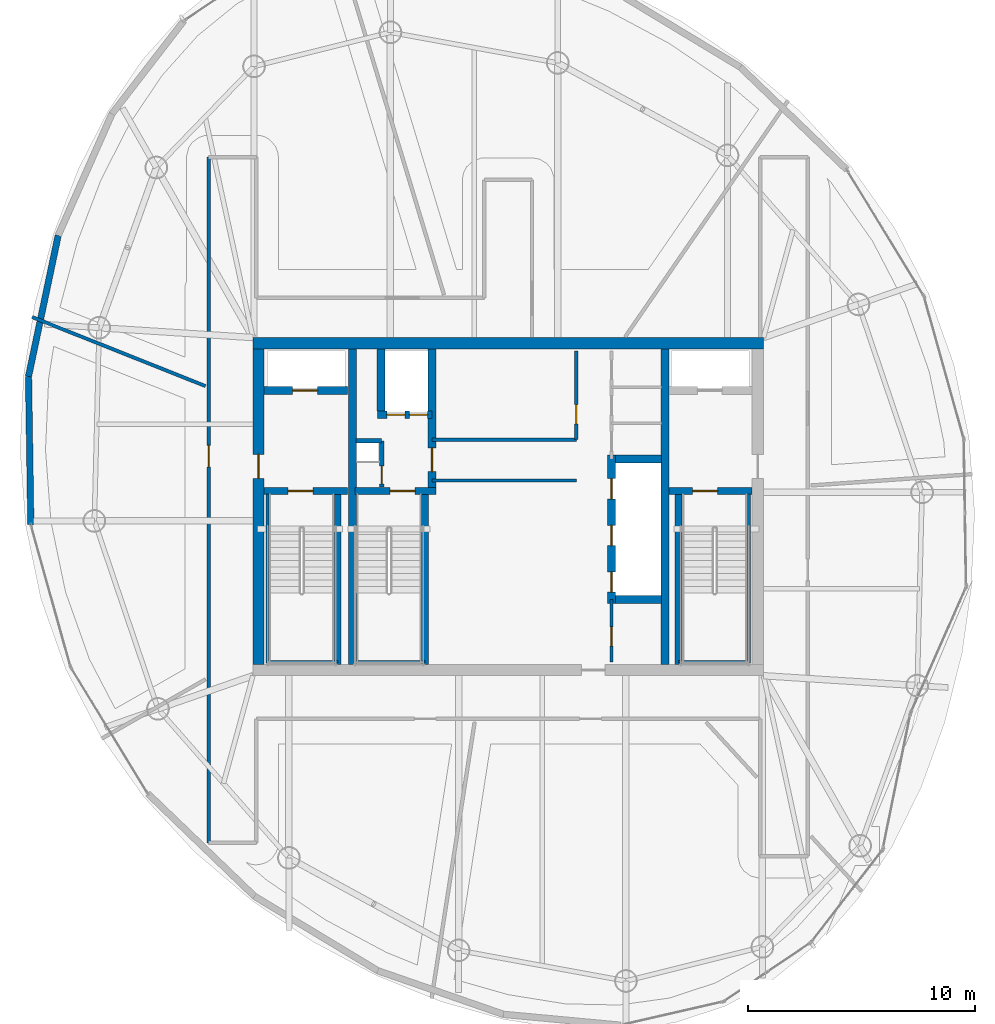
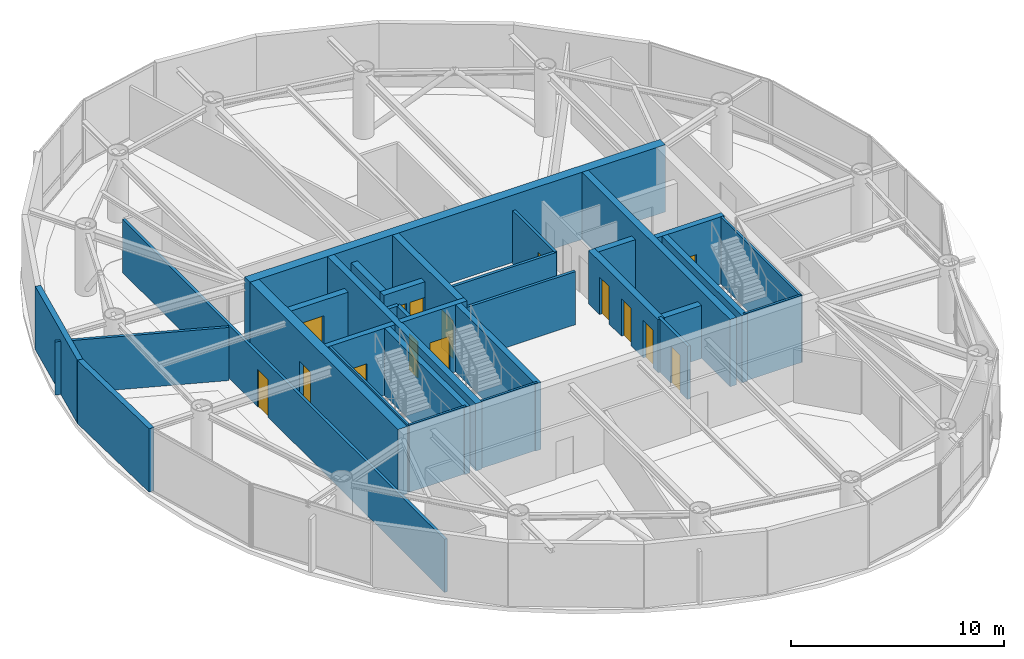
# One storey, part 15 of 19: 32 walls, 15 doors, 15 openings.
"""IFC4 building model written with IfcOpenShell, lengths in metres."""

from ifc_helpers import new_model, si_unit, direction, frame, frame_2d, origin, place, context, subcontext, project, spatial, rectangle, extrude, material, layer, layer_set, type_object, element, fill, save


model = new_model("IFC4")

# Units and contexts
model_context = context("Model", 3, precision=1e-05, world=origin(), true_north=direction((0.0, 1.0)))
body_context = subcontext(model_context, "Body", "Model", "MODEL_VIEW")
ifc_project = project(units=[si_unit("LENGTHUNIT", "METRE"), si_unit("AREAUNIT", "SQUARE_METRE"), si_unit("VOLUMEUNIT", "CUBIC_METRE"), si_unit("PLANEANGLEUNIT", "RADIAN"), si_unit("MASSUNIT", "GRAM", prefix="KILO")], contexts=[model_context])

# Site, building, storey
site_placement = place(None, origin())
site = spatial("IfcSite", under=ifc_project, at=site_placement, CompositionType="ELEMENT")
building_placement = place(site_placement, origin())
building = spatial("IfcBuilding", under=site, at=building_placement, Name="Bramvorn Convention Spire", CompositionType="ELEMENT")
storey_placement = place(building_placement, frame((0.0, 0.0, 299.800048828125)))
storey = spatial("IfcBuildingStorey", under=building, at=storey_placement, Name="L76", CompositionType="ELEMENT", Elevation=299.800048828125)

# Wall
ifc_material_1 = material(Name="Concrete C50/60", Category="concrete")
ifc_layer_1 = layer(ifc_material_1, 0.5)
ifc_layer_set_1 = layer_set([ifc_layer_1], Name="Concrete C50/60 - WL-CORE-500")
wall_type_1 = type_object("IfcWallType", Name="WL-CORE-500", PredefinedType="SHEAR", material=ifc_layer_set_1)
wall_1_placement = place(storey_placement, frame((26.75, 33.199951171875, 0.0), z_axis=(0.0, 0.0, 1.0), x_axis=(1.0, 0.0, 0.0)))
element("IfcWall", 1, at=wall_1_placement, inside=storey, type_object=wall_type_1, Name="L76 North RC core shear wall", PredefinedType="SHEAR", context=body_context, shape_type="SweptSolid", body=[
    extrude(rectangle(XDim=22.5, YDim=0.5, at=frame_2d((11.25, 0.0))), origin(), (0.0, 0.0, 1.0), 3.849853515625),
])

# Wall, opening, door
wall_2_placement = place(storey_placement, frame((27.0, 19.050048828125, 0.0), z_axis=(0.0, 0.0, 1.0), x_axis=(0.0, 1.0, 0.0)))
wall_2 = element("IfcWall", 2, at=wall_2_placement, inside=storey, type_object=wall_type_1, Name="L76 West RC core shear wall", PredefinedType="SHEAR", context=body_context, shape_type="SweptSolid", body=[
    extrude(rectangle(XDim=13.89990234375, YDim=0.5, at=frame_2d((6.949951171875, 0.0))), origin(), (0.0, 0.0, 1.0), 3.849853515625),
])
opening_1_placement = place(wall_2_placement, frame((8.199951171875, 0.0, 0.0)))
opening_1 = element("IfcOpeningElement", 3, at=opening_1_placement, cuts=wall_2, Name="Opening DL-105", PredefinedType="OPENING", context=body_context, shape_type="SweptSolid", body=[
    extrude(rectangle(XDim=1.050048828125, YDim=2.14990234375, at=frame_2d((0.52490234375, 1.074951171875))), frame((0.0, 0.260009765625, 0.0), z_axis=(0.0, -1.0, 0.0), x_axis=(1.0, 0.0, 0.0)), (0.0, 0.0, 1.0), 0.52001953125),
])
ifc_material_2 = material(Name="Smoke-Sealed Fire Lobby Timber-Core Door", Category="wood")
door_type_1 = type_object("IfcDoorType", Name="DR-LOBBY-1050", OperationType="NOTDEFINED", PredefinedType="DOOR", material=ifc_material_2)
door_1_placement = place(opening_1_placement, origin())
door_1 = element("IfcDoor", 4, at=door_1_placement, inside=storey, type_object=door_type_1, Name="L76 West Firefighting Lobby corridor door", OperationType="SINGLE_SWING_RIGHT", OverallHeight=2.14990234375, OverallWidth=1.050048828125, PredefinedType="DOOR", context=body_context, shape_type="SweptSolid", body=[
    extrude(rectangle(XDim=1.050048828125, YDim=2.14990234375, at=frame_2d((0.52490234375, 1.074951171875))), frame((0.0, 0.02490234375, 0.0), z_axis=(0.0, -1.0, 0.0), x_axis=(1.0, 0.0, 0.0)), (0.0, 0.0, 1.0), 0.050048828125),
])
fill(opening_1, door_1)

# Walls
ifc_layer_2 = layer(ifc_material_1, 0.35009765625)
ifc_layer_set_2 = layer_set([ifc_layer_2], Name="Concrete C50/60 - WL-CORE-INT-350")
wall_type_2 = type_object("IfcWallType", Name="WL-CORE-INT-350", PredefinedType="SHEAR", material=ifc_layer_set_2)
for number, where, z_axis, x_axis, name in (
    (5, (31.1298828125, 19.050048828125, 0.0), (0.0, 0.0, 1.0), (0.0, 1.0, 0.0), "L76 West internal core shear web"),
    (6, (44.89990234375, 19.050048828125, 0.0), (0.0, 0.0, 1.0), (0.0, 1.0, 0.0), "L76 East internal core shear web"),
):
    element("IfcWall", number, at=place(storey_placement, frame(where, z_axis=z_axis, x_axis=x_axis)), inside=storey, type_object=wall_type_2, Name=name, PredefinedType="SHEAR", context=body_context, shape_type="SweptSolid", body=[
        extrude(rectangle(XDim=13.89990234375, YDim=0.35009765625, at=frame_2d((6.949951171875, 0.0))), origin(), (0.0, 0.0, 1.0), 3.849853515625),
    ])

# Wall, opening, door
wall_3_placement = place(storey_placement, frame((27.25, 31.1201171875, 0.0), z_axis=(0.0, 0.0, 1.0), x_axis=(1.0, 0.0, 0.0)))
wall_3 = element("IfcWall", 7, at=wall_3_placement, inside=storey, type_object=wall_type_2, Name="L76 FE1 shaft front wall", PredefinedType="SHEAR", context=body_context, shape_type="SweptSolid", body=[
    extrude(rectangle(XDim=3.669921875, YDim=0.35009765625, at=frame_2d((1.8349609375, 0.0))), origin(), (0.0, 0.0, 1.0), 3.0400390625),
])
opening_2_placement = place(wall_3_placement, frame((1.25, 0.0, 0.0)))
opening_2 = element("IfcOpeningElement", 8, at=opening_2_placement, cuts=wall_3, Name="Opening LD-110", PredefinedType="OPENING", context=body_context, shape_type="SweptSolid", body=[
    extrude(rectangle(XDim=1.10009765625, YDim=2.14990234375, at=frame_2d((0.550048828125, 1.074951171875))), frame((0.0, 0.18505859375, 0.0), z_axis=(0.0, -1.0, 0.0), x_axis=(1.0, 0.0, 0.0)), (0.0, 0.0, 1.0), 0.3701171875),
])
ifc_material_3 = material(Name="Firefighting & Service Lift Sliding Landing Door", Category="steel")
door_type_2 = type_object("IfcDoorType", Name="DR-LIFT-LD-1100", OperationType="NOTDEFINED", PredefinedType="DOOR", material=ifc_material_3)
door_2_placement = place(opening_2_placement, origin())
door_2 = element("IfcDoor", 9, at=door_2_placement, inside=storey, type_object=door_type_2, Name="L76 Lift FE1 Sliding Landing Door", OperationType="SLIDING_TO_LEFT", OverallHeight=2.14990234375, OverallWidth=1.10009765625, PredefinedType="DOOR", context=body_context, shape_type="SweptSolid", body=[
    extrude(rectangle(XDim=1.10009765625, YDim=2.14990234375, at=frame_2d((0.550048828125, 1.074951171875))), frame((0.0, 0.02490234375, 0.0), z_axis=(0.0, -1.0, 0.0), x_axis=(1.0, 0.0, 0.0)), (0.0, 0.0, 1.0), 0.050048828125),
])
fill(opening_2, door_2)

wall_4_placement = place(storey_placement, frame((34.639892578125, 26.68994140625, 0.0), z_axis=(0.0, 0.0, 1.0), x_axis=(0.0, 1.0, 0.0)))
wall_4 = element("IfcWall", 10, at=wall_4_placement, inside=storey, type_object=wall_type_2, Name="L76 SV east core shaft wall", PredefinedType="SHEAR", context=body_context, shape_type="SweptSolid", body=[
    extrude(rectangle(XDim=6.260009765625, YDim=0.35009765625, at=frame_2d((3.1298828125, 0.0))), origin(), (0.0, 0.0, 1.0), 3.849853515625),
])
opening_3_placement = place(wall_4_placement, frame((0.85009765625, 0.0, 0.0)))
opening_3 = element("IfcOpeningElement", 11, at=opening_3_placement, cuts=wall_4, Name="Opening DL-105", PredefinedType="OPENING", context=body_context, shape_type="SweptSolid", body=[
    extrude(rectangle(XDim=1.050048828125, YDim=2.14990234375, at=frame_2d((0.52490234375, 1.074951171875))), frame((0.0, 0.18505859375, 0.0), z_axis=(0.0, -1.0, 0.0), x_axis=(1.0, 0.0, 0.0)), (0.0, 0.0, 1.0), 0.3701171875),
])
door_3_placement = place(opening_3_placement, origin())
door_3 = element("IfcDoor", 12, at=door_3_placement, inside=storey, type_object=door_type_1, Name="L76 Core cross-passage door", OperationType="SINGLE_SWING_RIGHT", OverallHeight=2.14990234375, OverallWidth=1.050048828125, PredefinedType="DOOR", context=body_context, shape_type="SweptSolid", body=[
    extrude(rectangle(XDim=1.050048828125, YDim=2.14990234375, at=frame_2d((0.52490234375, 1.074951171875))), frame((0.0, 0.02490234375, 0.0), z_axis=(0.0, -1.0, 0.0), x_axis=(1.0, 0.0, 0.0)), (0.0, 0.0, 1.0), 0.050048828125),
])
fill(opening_3, door_3)

# Wall, openings, doors
wall_5_placement = place(storey_placement, frame((32.22998046875, 30.050048828125, 0.0), z_axis=(0.0, 0.0, 1.0), x_axis=(1.0, 0.0, 0.0)))
wall_5 = element("IfcWall", 13, at=wall_5_placement, inside=storey, type_object=wall_type_2, Name="L76 SV1/SV2 shaft front wall", PredefinedType="SHEAR", context=body_context, shape_type="SweptSolid", body=[
    extrude(rectangle(XDim=2.409912109375, YDim=0.35009765625, at=frame_2d((1.205078125, 0.0))), origin(), (0.0, 0.0, 1.0), 3.0400390625),
])
opening_4_placement = place(wall_5_placement, frame((0.419921875, 0.0, 0.0)))
opening_4 = element("IfcOpeningElement", 14, at=opening_4_placement, cuts=wall_5, Name="Opening LD-080", PredefinedType="OPENING", context=body_context, shape_type="SweptSolid", body=[
    extrude(rectangle(XDim=0.800048828125, YDim=2.14990234375, at=frame_2d((0.39990234375, 1.074951171875))), frame((0.0, 0.18505859375, 0.0), z_axis=(0.0, -1.0, 0.0), x_axis=(1.0, 0.0, 0.0)), (0.0, 0.0, 1.0), 0.3701171875),
])
opening_5_placement = place(wall_5_placement, frame((1.419921875, 0.0, 0.0)))
opening_5 = element("IfcOpeningElement", 15, at=opening_5_placement, cuts=wall_5, Name="Opening LD-080", PredefinedType="OPENING", context=body_context, shape_type="SweptSolid", body=[
    extrude(rectangle(XDim=0.800048828125, YDim=2.14990234375, at=frame_2d((0.39990234375, 1.074951171875))), frame((0.0, 0.18505859375, 0.0), z_axis=(0.0, -1.0, 0.0), x_axis=(1.0, 0.0, 0.0)), (0.0, 0.0, 1.0), 0.3701171875),
])
ifc_material_4 = material(Name="Service Lift Bi-Parting Landing Door", Category="steel")
door_type_3 = type_object("IfcDoorType", Name="DR-LIFT-LD-800", OperationType="NOTDEFINED", PredefinedType="DOOR", material=ifc_material_4)
door_4_placement = place(opening_4_placement, origin())
door_4 = element("IfcDoor", 16, at=door_4_placement, inside=storey, type_object=door_type_3, Name="L76 Lift SV1 Sliding Landing Door", OperationType="SLIDING_TO_LEFT", OverallHeight=2.14990234375, OverallWidth=0.800048828125, PredefinedType="DOOR", context=body_context, shape_type="SweptSolid", body=[
    extrude(rectangle(XDim=0.800048828125, YDim=2.14990234375, at=frame_2d((0.39990234375, 1.074951171875))), frame((0.0, 0.02490234375, 0.0), z_axis=(0.0, -1.0, 0.0), x_axis=(1.0, 0.0, 0.0)), (0.0, 0.0, 1.0), 0.050048828125),
])
fill(opening_4, door_4)
door_5_placement = place(opening_5_placement, origin())
door_5 = element("IfcDoor", 17, at=door_5_placement, inside=storey, type_object=door_type_3, Name="L76 Lift SV2 Sliding Landing Door", OperationType="SLIDING_TO_LEFT", OverallHeight=2.14990234375, OverallWidth=0.800048828125, PredefinedType="DOOR", context=body_context, shape_type="SweptSolid", body=[
    extrude(rectangle(XDim=0.800048828125, YDim=2.14990234375, at=frame_2d((0.39990234375, 1.074951171875))), frame((0.0, 0.02490234375, 0.0), z_axis=(0.0, -1.0, 0.0), x_axis=(1.0, 0.0, 0.0)), (0.0, 0.0, 1.0), 0.050048828125),
])
fill(opening_5, door_5)

# Wall
wall_6_placement = place(storey_placement, frame((32.39990234375, 30.219970703125, 0.0), z_axis=(0.0, 0.0, 1.0), x_axis=(0.0, 1.0, 0.0)))
element("IfcWall", 18, at=wall_6_placement, inside=storey, type_object=wall_type_2, Name="L76 SV1 west hoistway wall", PredefinedType="SHEAR", context=body_context, shape_type="SweptSolid", body=[
    extrude(rectangle(XDim=2.72998046875, YDim=0.35009765625, at=frame_2d((1.364990234375, 0.0))), origin(), (0.0, 0.0, 1.0), 3.0400390625),
])

# Wall, openings, doors
wall_7_placement = place(storey_placement, frame((42.550048828125, 21.72998046875, 0.0), z_axis=(0.0, 0.0, 1.0), x_axis=(0.0, 1.0, 0.0)))
wall_7 = element("IfcWall", 19, at=wall_7_placement, inside=storey, type_object=wall_type_2, Name="L76 High-rise lift bank west wall", PredefinedType="SHEAR", context=body_context, shape_type="SweptSolid", body=[
    extrude(rectangle(XDim=6.5400390625, YDim=0.35009765625, at=frame_2d((3.27001953125, 0.0))), origin(), (0.0, 0.0, 1.0), 3.0400390625),
])
opening_6_placement = place(wall_7_placement, frame((0.5, 0.0, 0.0)))
opening_6 = element("IfcOpeningElement", 20, at=opening_6_placement, cuts=wall_7, Name="Opening LD-090", PredefinedType="OPENING", context=body_context, shape_type="SweptSolid", body=[
    extrude(rectangle(XDim=0.89990234375, YDim=2.14990234375, at=frame_2d((0.449951171875, 1.074951171875))), frame((0.0, 0.18505859375, 0.0), z_axis=(0.0, -1.0, 0.0), x_axis=(1.0, 0.0, 0.0)), (0.0, 0.0, 1.0), 0.3701171875),
])
opening_7_placement = place(wall_7_placement, frame((2.550048828125, 0.0, 0.0)))
opening_7 = element("IfcOpeningElement", 21, at=opening_7_placement, cuts=wall_7, Name="Opening LD-090", PredefinedType="OPENING", context=body_context, shape_type="SweptSolid", body=[
    extrude(rectangle(XDim=0.89990234375, YDim=2.14990234375, at=frame_2d((0.449951171875, 1.074951171875))), frame((0.0, 0.18505859375, 0.0), z_axis=(0.0, -1.0, 0.0), x_axis=(1.0, 0.0, 0.0)), (0.0, 0.0, 1.0), 0.3701171875),
])
opening_8_placement = place(wall_7_placement, frame((4.60009765625, 0.0, 0.0)))
opening_8 = element("IfcOpeningElement", 22, at=opening_8_placement, cuts=wall_7, Name="Opening LD-090", PredefinedType="OPENING", context=body_context, shape_type="SweptSolid", body=[
    extrude(rectangle(XDim=0.89990234375, YDim=2.14990234375, at=frame_2d((0.449951171875, 1.074951171875))), frame((0.0, 0.18505859375, 0.0), z_axis=(0.0, -1.0, 0.0), x_axis=(1.0, 0.0, 0.0)), (0.0, 0.0, 1.0), 0.3701171875),
])
ifc_material_5 = material(Name="Bi-Parting Fire-Rated Lift Landing Door", Category="steel")
door_type_4 = type_object("IfcDoorType", Name="DR-LIFT-LD-900", OperationType="NOTDEFINED", PredefinedType="DOOR", material=ifc_material_5)
door_6_placement = place(opening_6_placement, origin())
door_6 = element("IfcDoor", 23, at=door_6_placement, inside=storey, type_object=door_type_4, Name="L76 Lift PH1 Sliding Landing Door", OperationType="SLIDING_TO_LEFT", OverallHeight=2.14990234375, OverallWidth=0.89990234375, PredefinedType="DOOR", context=body_context, shape_type="SweptSolid", body=[
    extrude(rectangle(XDim=0.89990234375, YDim=2.14990234375, at=frame_2d((0.449951171875, 1.074951171875))), frame((0.0, 0.02490234375, 0.0), z_axis=(0.0, -1.0, 0.0), x_axis=(1.0, 0.0, 0.0)), (0.0, 0.0, 1.0), 0.050048828125),
])
fill(opening_6, door_6)
door_7_placement = place(opening_7_placement, origin())
door_7 = element("IfcDoor", 24, at=door_7_placement, inside=storey, type_object=door_type_4, Name="L76 Lift PH2 Sliding Landing Door", OperationType="SLIDING_TO_LEFT", OverallHeight=2.14990234375, OverallWidth=0.89990234375, PredefinedType="DOOR", context=body_context, shape_type="SweptSolid", body=[
    extrude(rectangle(XDim=0.89990234375, YDim=2.14990234375, at=frame_2d((0.449951171875, 1.074951171875))), frame((0.0, 0.02490234375, 0.0), z_axis=(0.0, -1.0, 0.0), x_axis=(1.0, 0.0, 0.0)), (0.0, 0.0, 1.0), 0.050048828125),
])
fill(opening_7, door_7)
door_8_placement = place(opening_8_placement, origin())
door_8 = element("IfcDoor", 25, at=door_8_placement, inside=storey, type_object=door_type_4, Name="L76 Lift PH3 Sliding Landing Door", OperationType="SLIDING_TO_LEFT", OverallHeight=2.14990234375, OverallWidth=0.89990234375, PredefinedType="DOOR", context=body_context, shape_type="SweptSolid", body=[
    extrude(rectangle(XDim=0.89990234375, YDim=2.14990234375, at=frame_2d((0.449951171875, 1.074951171875))), frame((0.0, 0.02490234375, 0.0), z_axis=(0.0, -1.0, 0.0), x_axis=(1.0, 0.0, 0.0)), (0.0, 0.0, 1.0), 0.050048828125),
])
fill(opening_8, door_8)

# Walls
for number, where, z_axis, x_axis, name in (
    (26, (42.719970703125, 21.89990234375, 0.0), (0.0, 0.0, 1.0), (1.0, 0.0, 0.0), "L76 High-rise lift bank south wall"),
    (27, (42.719970703125, 28.10009765625, 0.0), (0.0, 0.0, 1.0), (1.0, 0.0, 0.0), "L76 High-rise lift bank north wall"),
):
    element("IfcWall", number, at=place(storey_placement, frame(where, z_axis=z_axis, x_axis=x_axis)), inside=storey, type_object=wall_type_2, Name=name, PredefinedType="SHEAR", context=body_context, shape_type="SweptSolid", body=[
        extrude(rectangle(XDim=2.030029296875, YDim=0.35009765625, at=frame_2d((1.01513671875, 0.0))), origin(), (0.0, 0.0, 1.0), 3.0400390625),
    ])
ifc_material_6 = material(Name="Precast Concrete C40/50 with Bronze Terracotta Rainscreen", Category="masonry")
ifc_layer_3 = layer(ifc_material_6, 0.300048828125)
ifc_layer_set_3 = layer_set([ifc_layer_3], Name="Precast Concrete C40/50 with Bronze Terracotta Rainscreen - WL-EXT-BRONZE-300")
wall_type_3 = type_object("IfcWallType", Name="WL-EXT-BRONZE-300", PredefinedType="SOLIDWALL", material=ifc_layer_set_3)
wall_8_placement = place(storey_placement, frame((16.8642578125, 31.738037109375, 0.0), z_axis=(0.0, 0.0, 1.0), x_axis=(0.205843717041, 0.97858487836, 0.0)))
element("IfcWall", 28, at=wall_8_placement, inside=storey, type_object=wall_type_3, Name="L76 expressed bronze Gothic lancet pier wall 16", PredefinedType="SOLIDWALL", context=body_context, shape_type="SweptSolid", body=[
    extrude(rectangle(XDim=6.345458984375, YDim=0.280029296875, at=frame_2d((3.1728515625, 0.0))), origin(), (0.0, 0.0, 1.0), 3.625),
])
wall_9_placement = place(storey_placement, frame((16.9658203125, 25.212646484375, 0.0), z_axis=(0.0, 0.0, 1.0), x_axis=(-0.015562317507, 0.999878899804, 0.0)))
element("IfcWall", 29, at=wall_9_placement, inside=storey, type_object=wall_type_3, Name="L76 expressed bronze Gothic lancet pier wall 17", PredefinedType="SOLIDWALL", context=body_context, shape_type="SweptSolid", body=[
    extrude(rectangle(XDim=6.526123046875, YDim=0.280029296875, at=frame_2d((3.26318359375, 0.0))), origin(), (0.0, 0.0, 1.0), 3.625),
])
ifc_material_7 = material(Name="Acoustic Metal-Stud Tenant/Corridor Partition", Category="gypsum")
ifc_layer_4 = layer(ifc_material_7, 0.14990234375)
ifc_layer_set_4 = layer_set([ifc_layer_4], Name="Acoustic Metal-Stud Tenant/Corridor Partition - WL-PART-150")
wall_type_4 = type_object("IfcWallType", Name="WL-PART-150", PredefinedType="PARTITIONING", material=ifc_layer_set_4)
for number, where, z_axis, x_axis, name in (
    (30, (34.639892578125, 27.14990234375, 0.0), (0.0, 0.0, 1.0), (1.0, 0.0, 0.0), "L76 Cross-core passage south wall"),
    (31, (34.639892578125, 28.949951171875, 0.0), (0.0, 0.0, 1.0), (1.0, 0.0, 0.0), "L76 Cross-core passage north wall"),
):
    element("IfcWall", number, at=place(storey_placement, frame(where, z_axis=z_axis, x_axis=x_axis)), inside=storey, type_object=wall_type_4, Name=name, PredefinedType="PARTITIONING", context=body_context, shape_type="SweptSolid", body=[
        extrude(rectangle(XDim=6.360107421875, YDim=0.14990234375, at=frame_2d((3.18017578125, 0.0))), origin(), (0.0, 0.0, 1.0), 3.0400390625),
    ])

# Wall, opening, door
wall_10_placement = place(storey_placement, frame((41.0, 28.949951171875, 0.0), z_axis=(0.0, 0.0, 1.0), x_axis=(0.0, 1.0, 0.0)))
wall_10 = element("IfcWall", 32, at=wall_10_placement, inside=storey, type_object=wall_type_4, Name="L76 Freed north shaft room wall", PredefinedType="PARTITIONING", context=body_context, shape_type="SweptSolid", body=[
    extrude(rectangle(XDim=3.900146484375, YDim=0.14990234375, at=frame_2d((1.9501953125, 0.0))), origin(), (0.0, 0.0, 1.0), 3.0400390625),
])
opening_9_placement = place(wall_10_placement, frame((0.699951171875, 0.0, 0.0)))
opening_9 = element("IfcOpeningElement", 33, at=opening_9_placement, cuts=wall_10, Name="Opening DC-085", PredefinedType="OPENING", context=body_context, shape_type="SweptSolid", body=[
    extrude(rectangle(XDim=0.85009765625, YDim=2.10009765625, at=frame_2d((0.425048828125, 1.050048828125))), frame((0.0, 0.0849609375, 0.0), z_axis=(0.0, -1.0, 0.0), x_axis=(1.0, 0.0, 0.0)), (0.0, 0.0, 1.0), 0.169921875),
])
ifc_material_8 = material(Name="Fire-Rated Core Washroom & IDF Door", Category="wood")
door_type_5 = type_object("IfcDoorType", Name="DR-CORE-850", OperationType="NOTDEFINED", PredefinedType="DOOR", material=ifc_material_8)
door_9_placement = place(opening_9_placement, origin())
door_9 = element("IfcDoor", 34, at=door_9_placement, inside=storey, type_object=door_type_5, Name="L76 North core archive door", OperationType="SINGLE_SWING_LEFT", OverallHeight=2.10009765625, OverallWidth=0.85009765625, PredefinedType="DOOR", context=body_context, shape_type="SweptSolid", body=[
    extrude(rectangle(XDim=0.85009765625, YDim=2.10009765625, at=frame_2d((0.425048828125, 1.050048828125))), frame((0.0, 0.02490234375, 0.0), z_axis=(0.0, -1.0, 0.0), x_axis=(1.0, 0.0, 0.0)), (0.0, 0.0, 1.0), 0.050048828125),
])
fill(opening_9, door_9)

wall_11_placement = place(storey_placement, frame((42.550048828125, 19.14990234375, 0.0), z_axis=(0.0, 0.0, 1.0), x_axis=(0.0, 1.0, 0.0)))
wall_11 = element("IfcWall", 35, at=wall_11_placement, inside=storey, type_object=wall_type_4, Name="L76 KC SE wall", PredefinedType="PARTITIONING", context=body_context, shape_type="SweptSolid", body=[
    extrude(rectangle(XDim=2.75, YDim=0.14990234375, at=frame_2d((1.375, 0.0))), origin(), (0.0, 0.0, 1.0), 3.0400390625),
])
opening_10_placement = place(wall_11_placement, frame((0.699951171875, 0.0, 0.0)))
opening_10 = element("IfcOpeningElement", 36, at=opening_10_placement, cuts=wall_11, Name="Opening DC-085", PredefinedType="OPENING", context=body_context, shape_type="SweptSolid", body=[
    extrude(rectangle(XDim=0.85009765625, YDim=2.10009765625, at=frame_2d((0.425048828125, 1.050048828125))), frame((0.0, 0.0849609375, 0.0), z_axis=(0.0, -1.0, 0.0), x_axis=(1.0, 0.0, 0.0)), (0.0, 0.0, 1.0), 0.169921875),
])
door_10_placement = place(opening_10_placement, origin())
door_10 = element("IfcDoor", 37, at=door_10_placement, inside=storey, type_object=door_type_5, Name="L76 Core Valve & Riser Room door", OperationType="SINGLE_SWING_LEFT", OverallHeight=2.10009765625, OverallWidth=0.85009765625, PredefinedType="DOOR", context=body_context, shape_type="SweptSolid", body=[
    extrude(rectangle(XDim=0.85009765625, YDim=2.10009765625, at=frame_2d((0.425048828125, 1.050048828125))), frame((0.0, 0.02490234375, 0.0), z_axis=(0.0, -1.0, 0.0), x_axis=(1.0, 0.0, 0.0)), (0.0, 0.0, 1.0), 0.050048828125),
])
fill(opening_10, door_10)

wall_12_placement = place(storey_placement, frame((24.800048828125, 11.185791015625, 0.0), z_axis=(0.0, 0.0, 1.0), x_axis=(0.0, 1.0, 0.0)))
wall_12 = element("IfcWall", 38, at=wall_12_placement, inside=storey, type_object=wall_type_4, Name="L76 West N-S gallery outer wall", PredefinedType="PARTITIONING", context=body_context, shape_type="SweptSolid", body=[
    extrude(rectangle(XDim=30.214111328125, YDim=0.14990234375, at=frame_2d((15.10693359375, 0.0))), origin(), (0.0, 0.0, 1.0), 3.0400390625),
])
opening_11_placement = place(wall_12_placement, frame((16.564453125, 0.0, 0.0)))
opening_11 = element("IfcOpeningElement", 39, at=opening_11_placement, cuts=wall_12, Name="Opening DH-095", PredefinedType="OPENING", context=body_context, shape_type="SweptSolid", body=[
    extrude(rectangle(XDim=0.949951171875, YDim=2.14990234375, at=frame_2d((0.47509765625, 1.074951171875))), frame((0.0, 0.0849609375, 0.0), z_axis=(0.0, -1.0, 0.0), x_axis=(1.0, 0.0, 0.0)), (0.0, 0.0, 1.0), 0.169921875),
])
ifc_material_9 = material(Name="Solid-Core Acoustic Guestroom Entry Door", Category="wood")
door_type_6 = type_object("IfcDoorType", Name="DR-HOTEL-950", OperationType="NOTDEFINED", PredefinedType="DOOR", material=ifc_material_9)
door_11_placement = place(opening_11_placement, origin())
door_11 = element("IfcDoor", 40, at=door_11_placement, inside=storey, type_object=door_type_6, Name="L76 Exhibition Main Kitchen 4 door", OperationType="SINGLE_SWING_RIGHT", OverallHeight=2.14990234375, OverallWidth=0.949951171875, PredefinedType="DOOR", context=body_context, shape_type="SweptSolid", body=[
    extrude(rectangle(XDim=0.949951171875, YDim=2.14990234375, at=frame_2d((0.47509765625, 1.074951171875))), frame((0.0, 0.02490234375, 0.0), z_axis=(0.0, -1.0, 0.0), x_axis=(1.0, 0.0, 0.0)), (0.0, 0.0, 1.0), 0.050048828125),
])
fill(opening_11, door_11)

# Wall
wall_13_placement = place(storey_placement, frame((24.659912109375, 31.3125, 0.0), z_axis=(0.0, 0.0, 1.0), x_axis=(-0.929038553927, 0.369982925709, 0.0)))
element("IfcWall", 41, at=wall_13_placement, inside=storey, type_object=wall_type_4, Name="L76 Tenant suite partition 4", PredefinedType="PARTITIONING", context=body_context, shape_type="SweptSolid", body=[
    extrude(rectangle(XDim=8.225341796875, YDim=0.14990234375, at=frame_2d((4.11279296875, 0.0))), origin(), (0.0, 0.0, 1.0), 3.0400390625),
])

# Wall, opening, door
ifc_material_10 = material(Name="Gypsum Shaftwall & Rockwool Core Partition", Category="gypsum")
ifc_layer_5 = layer(ifc_material_10, 0.199951171875)
ifc_layer_set_5 = layer_set([ifc_layer_5], Name="Gypsum Shaftwall & Rockwool Core Partition - WL-PART-200-FR")
wall_type_5 = type_object("IfcWallType", Name="WL-PART-200-FR", PredefinedType="PARTITIONING", material=ifc_layer_set_5)
wall_14_placement = place(storey_placement, frame((32.419921875, 26.860107421875, 0.0), z_axis=(0.0, 0.0, 1.0), x_axis=(0.0, 1.0, 0.0)))
wall_14 = element("IfcWall", 42, at=wall_14_placement, inside=storey, type_object=wall_type_5, Name="L76 Telecom riser east wall", PredefinedType="PARTITIONING", context=body_context, shape_type="SweptSolid", body=[
    extrude(rectangle(XDim=2.039794921875, YDim=0.199951171875, at=frame_2d((1.02001953125, 0.0))), origin(), (0.0, 0.0, 1.0), 3.0400390625),
])
opening_12_placement = place(wall_14_placement, frame((0.139892578125, 0.0, 0.0)))
opening_12 = element("IfcOpeningElement", 43, at=opening_12_placement, cuts=wall_14, Name="Opening DR-080", PredefinedType="OPENING", context=body_context, shape_type="SweptSolid", body=[
    extrude(rectangle(XDim=0.800048828125, YDim=2.050048828125, at=frame_2d((0.39990234375, 1.02490234375))), frame((0.0, 0.10986328125, 0.0), z_axis=(0.0, -1.0, 0.0), x_axis=(1.0, 0.0, 0.0)), (0.0, 0.0, 1.0), 0.219970703125),
])
ifc_material_11 = material(Name="Flush Steel Riser Access Door", Category="steel")
door_type_7 = type_object("IfcDoorType", Name="DR-RISER-800", OperationType="NOTDEFINED", PredefinedType="DOOR", material=ifc_material_11)
door_12_placement = place(opening_12_placement, origin())
door_12 = element("IfcDoor", 44, at=door_12_placement, inside=storey, type_object=door_type_7, Name="L76 Telecom riser access door", OperationType="SINGLE_SWING_RIGHT", OverallHeight=2.050048828125, OverallWidth=0.800048828125, PredefinedType="DOOR", context=body_context, shape_type="SweptSolid", body=[
    extrude(rectangle(XDim=0.800048828125, YDim=2.050048828125, at=frame_2d((0.39990234375, 1.02490234375))), frame((0.0, 0.02490234375, 0.0), z_axis=(0.0, -1.0, 0.0), x_axis=(1.0, 0.0, 0.0)), (0.0, 0.0, 1.0), 0.050048828125),
])
fill(opening_12, door_12)

# Wall
wall_15_placement = place(storey_placement, frame((31.300048828125, 28.89990234375, 0.0), z_axis=(0.0, 0.0, 1.0), x_axis=(1.0, 0.0, 0.0)))
element("IfcWall", 45, at=wall_15_placement, inside=storey, type_object=wall_type_5, Name="L76 Telecom riser north wall", PredefinedType="PARTITIONING", context=body_context, shape_type="SweptSolid", body=[
    extrude(rectangle(XDim=1.119873046875, YDim=0.199951171875, at=frame_2d((0.56005859375, 0.0))), origin(), (0.0, 0.0, 1.0), 3.0400390625),
])

# Wall, opening, door
ifc_layer_6 = layer(ifc_material_1, 0.300048828125)
ifc_layer_set_6 = layer_set([ifc_layer_6], Name="Concrete C50/60 - WL-POD-STAIR-300")
wall_type_6 = type_object("IfcWallType", Name="WL-POD-STAIR-300", PredefinedType="SHEAR", material=ifc_layer_set_6)
wall_16_placement = place(storey_placement, frame((27.25, 26.68994140625, 0.0), z_axis=(0.0, 0.0, 1.0), x_axis=(1.0, 0.0, 0.0)))
wall_16 = element("IfcWall", 46, at=wall_16_placement, inside=storey, type_object=wall_type_6, Name="L76 ST1 north fire wall", PredefinedType="SHEAR", context=body_context, shape_type="SweptSolid", body=[
    extrude(rectangle(XDim=3.669921875, YDim=0.300048828125, at=frame_2d((1.8349609375, 0.0))), origin(), (0.0, 0.0, 1.0), 3.849853515625),
])
opening_13_placement = place(wall_16_placement, frame((1.050048828125, 0.0, 0.0)))
opening_13 = element("IfcOpeningElement", 47, at=opening_13_placement, cuts=wall_16, Name="Opening DS-110", PredefinedType="OPENING", context=body_context, shape_type="SweptSolid", body=[
    extrude(rectangle(XDim=1.10009765625, YDim=2.14990234375, at=frame_2d((0.550048828125, 1.074951171875))), frame((0.0, 0.159912109375, 0.0), z_axis=(0.0, -1.0, 0.0), x_axis=(1.0, 0.0, 0.0)), (0.0, 0.0, 1.0), 0.320068359375),
])
ifc_material_12 = material(Name="Fire-Rated Hollow Steel Stairwell Door", Category="steel")
door_type_8 = type_object("IfcDoorType", Name="DR-STAIR-1100", OperationType="NOTDEFINED", PredefinedType="DOOR", material=ifc_material_12)
door_13_placement = place(opening_13_placement, origin())
door_13 = element("IfcDoor", 48, at=door_13_placement, inside=storey, type_object=door_type_8, Name="L76 Stair ST1 fire door", OperationType="SINGLE_SWING_LEFT", OverallHeight=2.14990234375, OverallWidth=1.10009765625, PredefinedType="DOOR", context=body_context, shape_type="SweptSolid", body=[
    extrude(rectangle(XDim=1.10009765625, YDim=2.14990234375, at=frame_2d((0.550048828125, 1.074951171875))), frame((0.0, 0.02490234375, 0.0), z_axis=(0.0, -1.0, 0.0), x_axis=(1.0, 0.0, 0.0)), (0.0, 0.0, 1.0), 0.050048828125),
])
fill(opening_13, door_13)

# Wall
wall_17_placement = place(storey_placement, frame((30.489990234375, 19.050048828125, 0.0), z_axis=(0.0, 0.0, 1.0), x_axis=(0.0, 1.0, 0.0)))
element("IfcWall", 49, at=wall_17_placement, inside=storey, type_object=wall_type_6, Name="L76 ST1 east bearing wall", PredefinedType="SHEAR", context=body_context, shape_type="SweptSolid", body=[
    extrude(rectangle(XDim=7.5, YDim=0.300048828125, at=frame_2d((3.75, 0.0))), origin(), (0.0, 0.0, 1.0), 3.849853515625),
])

# Wall, opening, door
wall_18_placement = place(storey_placement, frame((45.080078125, 26.68994140625, 0.0), z_axis=(0.0, 0.0, 1.0), x_axis=(1.0, 0.0, 0.0)))
wall_18 = element("IfcWall", 50, at=wall_18_placement, inside=storey, type_object=wall_type_6, Name="L76 ST2 north fire wall", PredefinedType="SHEAR", context=body_context, shape_type="SweptSolid", body=[
    extrude(rectangle(XDim=3.669921875, YDim=0.300048828125, at=frame_2d((1.8349609375, 0.0))), origin(), (0.0, 0.0, 1.0), 3.849853515625),
])
opening_14_placement = place(wall_18_placement, frame((1.050048828125, 0.0, 0.0)))
opening_14 = element("IfcOpeningElement", 51, at=opening_14_placement, cuts=wall_18, Name="Opening DS-110", PredefinedType="OPENING", context=body_context, shape_type="SweptSolid", body=[
    extrude(rectangle(XDim=1.10009765625, YDim=2.14990234375, at=frame_2d((0.550048828125, 1.074951171875))), frame((0.0, 0.159912109375, 0.0), z_axis=(0.0, -1.0, 0.0), x_axis=(1.0, 0.0, 0.0)), (0.0, 0.0, 1.0), 0.320068359375),
])
door_14_placement = place(opening_14_placement, origin())
door_14 = element("IfcDoor", 52, at=door_14_placement, inside=storey, type_object=door_type_8, Name="L76 Stair ST2 fire door", OperationType="SINGLE_SWING_RIGHT", OverallHeight=2.14990234375, OverallWidth=1.10009765625, PredefinedType="DOOR", context=body_context, shape_type="SweptSolid", body=[
    extrude(rectangle(XDim=1.10009765625, YDim=2.14990234375, at=frame_2d((0.550048828125, 1.074951171875))), frame((0.0, 0.02490234375, 0.0), z_axis=(0.0, -1.0, 0.0), x_axis=(1.0, 0.0, 0.0)), (0.0, 0.0, 1.0), 0.050048828125),
])
fill(opening_14, door_14)

# Walls
for number, where, z_axis, x_axis, name in (
    (53, (45.510009765625, 19.050048828125, 0.0), (0.0, 0.0, 1.0), (0.0, 1.0, 0.0), "L76 ST2 west bearing wall"),
    (54, (34.340087890625, 19.050048828125, 0.0), (0.0, 0.0, 1.0), (0.0, 1.0, 0.0), "L76 ST3 east bearing wall"),
):
    element("IfcWall", number, at=place(storey_placement, frame(where, z_axis=z_axis, x_axis=x_axis)), inside=storey, type_object=wall_type_6, Name=name, PredefinedType="SHEAR", context=body_context, shape_type="SweptSolid", body=[
        extrude(rectangle(XDim=7.5, YDim=0.300048828125, at=frame_2d((3.75, 0.0))), origin(), (0.0, 0.0, 1.0), 3.849853515625),
    ])

# Wall, opening, door
wall_19_placement = place(storey_placement, frame((31.25, 26.68994140625, 0.0), z_axis=(0.0, 0.0, 1.0), x_axis=(1.0, 0.0, 0.0)))
wall_19 = element("IfcWall", 55, at=wall_19_placement, inside=storey, type_object=wall_type_6, Name="L76 ST3 north lobby wall", PredefinedType="SHEAR", context=body_context, shape_type="SweptSolid", body=[
    extrude(rectangle(XDim=3.56005859375, YDim=0.300048828125, at=frame_2d((1.780029296875, 0.0))), origin(), (0.0, 0.0, 1.0), 3.849853515625),
])
opening_15_placement = place(wall_19_placement, frame((1.550048828125, 0.0, 0.0)))
opening_15 = element("IfcOpeningElement", 56, at=opening_15_placement, cuts=wall_19, Name="Opening DS-110", PredefinedType="OPENING", context=body_context, shape_type="SweptSolid", body=[
    extrude(rectangle(XDim=1.10009765625, YDim=2.14990234375, at=frame_2d((0.550048828125, 1.074951171875))), frame((0.0, 0.159912109375, 0.0), z_axis=(0.0, -1.0, 0.0), x_axis=(1.0, 0.0, 0.0)), (0.0, 0.0, 1.0), 0.320068359375),
])
door_15_placement = place(opening_15_placement, origin())
door_15 = element("IfcDoor", 57, at=door_15_placement, inside=storey, type_object=door_type_8, Name="L76 Stair ST3 fire door", OperationType="SINGLE_SWING_LEFT", OverallHeight=2.14990234375, OverallWidth=1.10009765625, PredefinedType="DOOR", context=body_context, shape_type="SweptSolid", body=[
    extrude(rectangle(XDim=1.10009765625, YDim=2.14990234375, at=frame_2d((0.550048828125, 1.074951171875))), frame((0.0, 0.02490234375, 0.0), z_axis=(0.0, -1.0, 0.0), x_axis=(1.0, 0.0, 0.0)), (0.0, 0.0, 1.0), 0.050048828125),
])
fill(opening_15, door_15)

# Walls
ifc_layer_7 = layer(ifc_material_1, 0.1201171875)
ifc_layer_set_7 = layer_set([ifc_layer_7], Name="Concrete C50/60 - WL-STAIR-RC-120")
wall_type_7 = type_object("IfcWallType", Name="WL-STAIR-RC-120", PredefinedType="SHEAR", material=ifc_layer_set_7)
wall_20_placement = place(storey_placement, frame((27.39501953125, 19.10009765625, 0.0), z_axis=(0.0, 0.0, 1.0), x_axis=(0.0, 1.0, 0.0)))
element("IfcWall", 58, at=wall_20_placement, inside=storey, type_object=wall_type_7, Name="L76 ST1 west bearing shear wall", PredefinedType="SHEAR", context=body_context, shape_type="SweptSolid", body=[
    extrude(rectangle(XDim=7.449951171875, YDim=0.1201171875, at=frame_2d((3.72509765625, 0.0))), origin(), (0.0, 0.0, 1.0), 3.849853515625),
])
wall_21_placement = place(storey_placement, frame((27.39501953125, 19.159912109375, 0.0), z_axis=(0.0, 0.0, 1.0), x_axis=(1.0, 0.0, 0.0)))
element("IfcWall", 59, at=wall_21_placement, inside=storey, type_object=wall_type_7, Name="L76 ST1 south bearing shear wall", PredefinedType="SHEAR", context=body_context, shape_type="SweptSolid", body=[
    extrude(rectangle(XDim=3.094970703125, YDim=0.1201171875, at=frame_2d((1.54736328125, 0.0))), origin(), (0.0, 0.0, 1.0), 3.849853515625),
])
wall_22_placement = place(storey_placement, frame((48.60498046875, 19.10009765625, 0.0), z_axis=(0.0, 0.0, 1.0), x_axis=(0.0, 1.0, 0.0)))
element("IfcWall", 60, at=wall_22_placement, inside=storey, type_object=wall_type_7, Name="L76 ST2 east bearing shear wall", PredefinedType="SHEAR", context=body_context, shape_type="SweptSolid", body=[
    extrude(rectangle(XDim=7.449951171875, YDim=0.1201171875, at=frame_2d((3.72509765625, 0.0))), origin(), (0.0, 0.0, 1.0), 3.849853515625),
])
wall_23_placement = place(storey_placement, frame((45.510009765625, 19.159912109375, 0.0), z_axis=(0.0, 0.0, 1.0), x_axis=(1.0, 0.0, 0.0)))
element("IfcWall", 61, at=wall_23_placement, inside=storey, type_object=wall_type_7, Name="L76 ST2 south bearing shear wall", PredefinedType="SHEAR", context=body_context, shape_type="SweptSolid", body=[
    extrude(rectangle(XDim=3.094970703125, YDim=0.1201171875, at=frame_2d((1.54736328125, 0.0))), origin(), (0.0, 0.0, 1.0), 3.849853515625),
])
wall_24_placement = place(storey_placement, frame((31.300048828125, 19.159912109375, 0.0), z_axis=(0.0, 0.0, 1.0), x_axis=(1.0, 0.0, 0.0)))
element("IfcWall", 62, at=wall_24_placement, inside=storey, type_object=wall_type_7, Name="L76 ST3 south bearing shear wall", PredefinedType="SHEAR", context=body_context, shape_type="SweptSolid", body=[
    extrude(rectangle(XDim=3.0400390625, YDim=0.1201171875, at=frame_2d((1.52001953125, 0.0))), origin(), (0.0, 0.0, 1.0), 3.849853515625),
])

save(model, "model.ifc")
